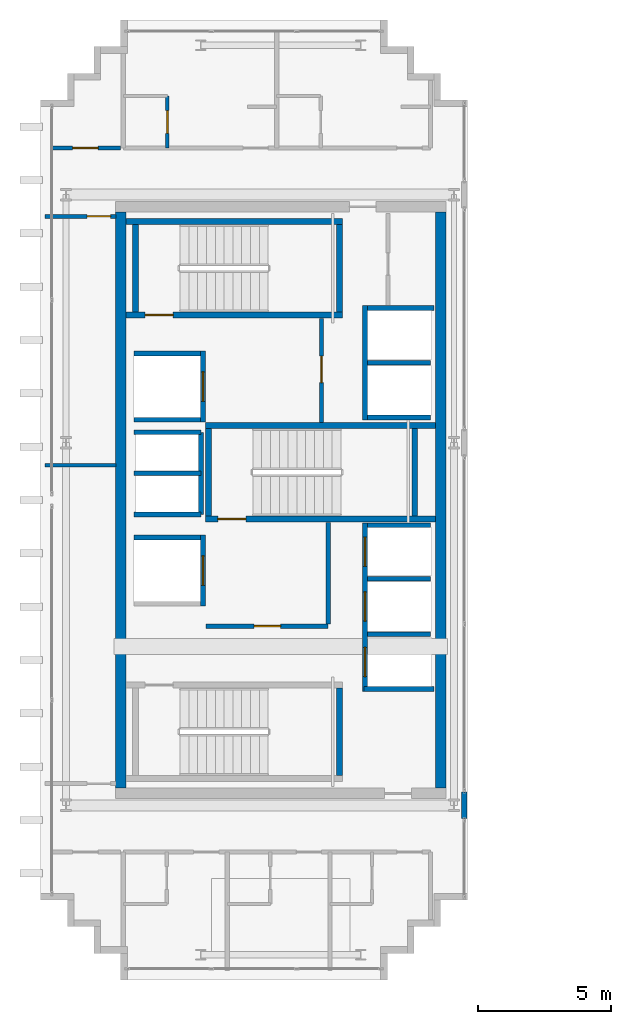
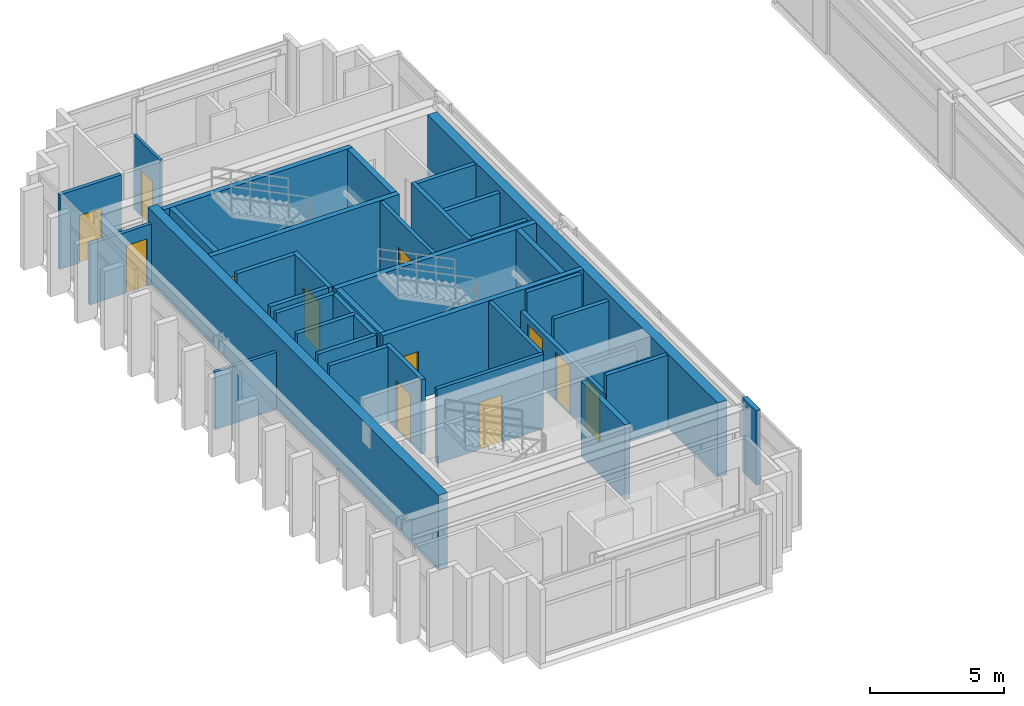
# One storey, part 20 of 25: 37 walls, 12 doors, 12 openings.
"""IFC4 building model written with IfcOpenShell, lengths in metres."""

import ifcopenshell
import ifcopenshell.guid

model = None  # the IFC model being written
_history = None  # IfcOwnerHistory: only IFC2X3 demands one
_inside = {}  # id of a spatial element -> (the spatial element, [elements in it])
_under = {}  # id of a project, library or spatial element -> (it, [spatial elements below it])
_declared = {}  # id of a project -> (the project, [libraries it declares])
_typed = {}  # id of a type object -> (the type object, [elements of that type])
_made_of = {}  # id of a material, layer set ... -> (it, [elements and type objects made of it])


def new_model(schema):
    """Start an empty IFC model of exactly this schema.

    Asked for "IFC4X3", IfcOpenShell would pick the latest addendum, in which some entities
    have other attributes; the version numbers below select the first issue.
    IFC2X3 requires an IfcOwnerHistory on every rooted entity: one is made here for all.
    """
    global model, _history
    if schema == "IFC4X3":
        model = ifcopenshell.file(schema_version=(4, 3, 0, 0))
    else:
        model = ifcopenshell.file(schema=schema)
    _inside.clear()
    _under.clear()
    _declared.clear()
    _typed.clear()
    _made_of.clear()
    _history = None
    if model.schema == "IFC2X3":
        org = make("IfcOrganization", Name="unknown")
        user = make(
            "IfcPersonAndOrganization",
            ThePerson=make("IfcPerson", FamilyName="unknown"),
            TheOrganization=org,
        )
        app = make(
            "IfcApplication",
            ApplicationDeveloper=org,
            Version="unknown",
            ApplicationFullName="unknown",
            ApplicationIdentifier="unknown",
        )
        _history = make(
            "IfcOwnerHistory",
            OwningUser=user,
            OwningApplication=app,
            ChangeAction="ADDED",
            CreationDate=0,
        )
    return model


def make(cls, **values):
    """One entity of the class cls with the attributes given. An attribute that is None is left unset."""
    return model.create_entity(
        cls, **{name: value for name, value in values.items() if value is not None}
    )


def rooted(cls, **values):
    """An entity with a GlobalId (a new one), such as an element, a storey or a relation."""
    return make(cls, GlobalId=ifcopenshell.guid.new(), OwnerHistory=_history, **values)


def si_unit(unit_type, name, prefix=None):
    """IfcSIUnit, for example si_unit("LENGTHUNIT", "METRE", prefix="MILLI")."""
    return make("IfcSIUnit", UnitType=unit_type, Prefix=prefix, Name=name)


def assignment(units):
    """IfcUnitAssignment: the units of a project."""
    return None if units is None else make("IfcUnitAssignment", Units=units)


def point(xyz):
    """IfcCartesianPoint."""
    return None if xyz is None else make("IfcCartesianPoint", Coordinates=xyz)


def direction(xyz):
    """IfcDirection."""
    return None if xyz is None else make("IfcDirection", DirectionRatios=xyz)


def frame(location, z_axis=None, x_axis=None):
    """IfcAxis2Placement3D, a coordinate frame: its origin and axes. An axis left out is left unset."""
    return make(
        "IfcAxis2Placement3D",
        Location=point(location),
        Axis=direction(z_axis),
        RefDirection=direction(x_axis),
    )


def frame_2d(location, x_axis=None):
    """IfcAxis2Placement2D, a coordinate frame in the plane: its origin and x axis."""
    return make(
        "IfcAxis2Placement2D", Location=point(location), RefDirection=direction(x_axis)
    )


def origin():
    """The frame at (0, 0, 0) with its axes left unset."""
    return frame((0.0, 0.0, 0.0))


def place(relative_to, where):
    """IfcLocalPlacement: puts the frame where relative to a parent placement (None: the world)."""
    return make(
        "IfcLocalPlacement", PlacementRelTo=relative_to, RelativePlacement=where
    )


def context(
    kind, dimensions, precision=None, world=None, true_north=None, identifier=None
):
    """IfcGeometricRepresentationContext, for example the 3D "Model" context."""
    return make(
        "IfcGeometricRepresentationContext",
        ContextIdentifier=identifier,
        ContextType=kind,
        CoordinateSpaceDimension=dimensions,
        Precision=precision,
        WorldCoordinateSystem=world,
        TrueNorth=true_north,
    )


def subcontext(parent, identifier, kind, view, scale=None):
    """IfcGeometricRepresentationSubContext, for example "Body" below "Model"."""
    return make(
        "IfcGeometricRepresentationSubContext",
        ContextIdentifier=identifier,
        ContextType=kind,
        ParentContext=parent,
        TargetScale=scale,
        TargetView=view,
    )


def project(units=None, contexts=None):
    """IfcProject with its units and contexts."""
    return rooted(
        "IfcProject",
        Name="project",
        RepresentationContexts=contexts,
        UnitsInContext=assignment(units),
    )


def spatial(cls, under=None, at=None, **own):
    """A site, building, storey or space (cls), placed at a placement, below another one or the project."""
    s = rooted(cls, ObjectPlacement=at, **own)
    if under is not None:
        _under.setdefault(under.id(), (under, []))[1].append(s)
    return s


def profile(cls, at=None, kind="AREA", **sizes):
    """A parametric profile (cls). Its sizes go by their IFC names, for example OverallWidth=200.0."""
    return make(cls, ProfileType=kind, Position=at, **sizes)


def rectangle(**sizes):
    """IfcRectangleProfileDef."""
    return profile("IfcRectangleProfileDef", **sizes)


def extrude(swept, where, along, depth):
    """IfcExtrudedAreaSolid: the profile swept, set in the frame where, extruded along a direction by depth."""
    return make(
        "IfcExtrudedAreaSolid",
        SweptArea=swept,
        Position=where,
        ExtrudedDirection=direction(along),
        Depth=depth,
    )


def shape(context_of_items, identifier, shape_type, items):
    """IfcShapeRepresentation: the items that make up one representation, for example the "Body"."""
    return make(
        "IfcShapeRepresentation",
        ContextOfItems=context_of_items,
        RepresentationIdentifier=identifier,
        RepresentationType=shape_type,
        Items=items,
    )


def source(mapping_origin, context_of_items, identifier, shape_type, items):
    """IfcRepresentationMap: a shape defined once, which mapped items show again and again."""
    return make(
        "IfcRepresentationMap",
        MappingOrigin=mapping_origin,
        MappedRepresentation=shape(context_of_items, identifier, shape_type, items),
    )


def transform(
    local_origin,
    x_axis=None,
    y_axis=None,
    z_axis=None,
    scale=None,
    scale2=None,
    scale3=None,
    uniform=True,
):
    """IfcCartesianTransformationOperator3D, or its non-uniform kind. x_axis, y_axis, z_axis: its Axis1, 2, 3."""
    if uniform:
        return make(
            "IfcCartesianTransformationOperator3D",
            Axis1=direction(x_axis),
            Axis2=direction(y_axis),
            LocalOrigin=point(local_origin),
            Scale=scale,
            Axis3=direction(z_axis),
        )
    return make(
        "IfcCartesianTransformationOperator3DnonUniform",
        Axis1=direction(x_axis),
        Axis2=direction(y_axis),
        LocalOrigin=point(local_origin),
        Scale=scale,
        Axis3=direction(z_axis),
        Scale2=scale2,
        Scale3=scale3,
    )


def mapped(mapping_source, mapping_target):
    """IfcMappedItem: shows the shape of a source again, moved by a transform."""
    return make(
        "IfcMappedItem", MappingSource=mapping_source, MappingTarget=mapping_target
    )


def material(Name=None, Category=None):
    """IfcMaterial."""
    return make("IfcMaterial", Name=Name, Category=Category)


def layer(
    of_material, thickness, ventilated=None, Name=None, Category=None, Priority=None
):
    """IfcMaterialLayer: one layer of a wall or slab, of a material (None: an air gap)."""
    return make(
        "IfcMaterialLayer",
        Material=of_material,
        LayerThickness=thickness,
        IsVentilated=ventilated,
        Name=Name,
        Category=Category,
        Priority=Priority,
    )


def layer_set(layers, Name=None):
    """IfcMaterialLayerSet."""
    return make("IfcMaterialLayerSet", MaterialLayers=layers, LayerSetName=Name)


def made_of(thing, what):
    """Note that an element or type object is made of a material, layer set ...; save() writes the relation."""
    if what is not None:
        _made_of.setdefault(what.id(), (what, []))[1].append(thing)
    return thing


def type_object(cls, material=None, **own):
    """A type object (cls), such as IfcWallType, which elements share."""
    return made_of(rooted(cls, **own), material)


def element(
    cls,
    number,
    at=None,
    inside=None,
    cuts=None,
    type_object=None,
    material=None,
    context=None,
    identifier="Body",
    shape_type=None,
    held_by="IfcProductDefinitionShape",
    body=None,
    shapes=None,
    **own,
):
    """One element of the class cls, such as IfcWall. Its Tag is "e" and its number.

    at: its placement. inside: the storey or other place that contains it. cuts: it is an
    opening in that element (IfcRelVoidsElement). A single representation is given by context,
    identifier, shape_type and body (its items); several are given by shapes. held_by: the class
    of the entity that holds the representations. save() writes the other relations.
    """
    e = rooted(cls, Tag="e%d" % number, ObjectPlacement=at, **own)
    if body is not None:
        shapes = [shape(context, identifier, shape_type, body)]
    if shapes is not None:
        e.Representation = make(held_by, Representations=shapes)
    if inside is not None:
        _inside.setdefault(inside.id(), (inside, []))[1].append(e)
    if cuts is not None:
        rooted(
            "IfcRelVoidsElement", RelatingBuildingElement=cuts, RelatedOpeningElement=e
        )
    if type_object is not None:
        _typed.setdefault(type_object.id(), (type_object, []))[1].append(e)
    return made_of(e, material)


def fill(opening, filler):
    """IfcRelFillsElement: the door or window that sits in an opening."""
    return rooted(
        "IfcRelFillsElement",
        RelatingOpeningElement=opening,
        RelatedBuildingElement=filler,
    )


def aggregate(whole, parts):
    """IfcRelAggregates: a whole, such as a stair, and the parts it consists of."""
    return rooted("IfcRelAggregates", RelatingObject=whole, RelatedObjects=parts)


def save(model, path):
    """Write the relations noted so far, then the file.

    IfcRelAggregates (storeys below a building ...), IfcRelContainedInSpatialStructure (elements
    in a storey), IfcRelDefinesByType, IfcRelAssociatesMaterial and IfcRelDeclares: one each for
    every whole, place, type object, material and project.
    """
    for whole, parts in _under.values():
        aggregate(whole, parts)
    for where, things in _inside.values():
        rooted(
            "IfcRelContainedInSpatialStructure",
            RelatedElements=things,
            RelatingStructure=where,
        )
    for kind, things in _typed.values():
        rooted("IfcRelDefinesByType", RelatedObjects=things, RelatingType=kind)
    for what, things in _made_of.values():
        rooted("IfcRelAssociatesMaterial", RelatedObjects=things, RelatingMaterial=what)
    for by, libraries in _declared.values():
        rooted("IfcRelDeclares", RelatingContext=by, RelatedDefinitions=libraries)
    model.write(path)


model = new_model("IFC4")

# Units and contexts
model_context = context("Model", 3, precision=1e-05, world=origin(), true_north=direction((0.0, 1.0)))
body_context = subcontext(model_context, "Body", "Model", "MODEL_VIEW")
ifc_project = project(units=[si_unit("LENGTHUNIT", "METRE"), si_unit("AREAUNIT", "SQUARE_METRE"), si_unit("VOLUMEUNIT", "CUBIC_METRE"), si_unit("PLANEANGLEUNIT", "RADIAN"), si_unit("MASSUNIT", "GRAM", prefix="KILO")], contexts=[model_context])

# Site, building, storey
site_placement = place(None, origin())
site = spatial("IfcSite", under=ifc_project, at=site_placement, CompositionType="ELEMENT")
building_placement = place(site_placement, origin())
building = spatial("IfcBuilding", under=site, at=building_placement, Name="Ocotamira Hotel", CompositionType="ELEMENT")
storey_placement = place(building_placement, frame((0.0, 0.0, 254.39990234375)))
storey = spatial("IfcBuildingStorey", under=building, at=storey_placement, Name="L64", CompositionType="ELEMENT", Elevation=254.39990234375)

# Walls
ifc_material_1 = material(Name="Concrete C50/60", Category="concrete")
ifc_layer_1 = layer(ifc_material_1, 0.39990234375)
ifc_layer_set_1 = layer_set([ifc_layer_1], Name="Concrete C50/60")
wall_type_1 = type_object("IfcWallType", Name="WL-CORE-400", PredefinedType="SHEAR", material=ifc_layer_set_1)
for number, where, z_axis, x_axis, name in (
    (1, (11.0, 15.199951171875, 0.0), (0.0, 0.0, 1.0), (0.0, 1.0, 0.0), "L64 Shear Core Wall WCORE-W"),
    (2, (23.0, 15.199951171875, 0.0), (0.0, 0.0, 1.0), (0.0, 1.0, 0.0), "L64 Shear Core Wall WCORE-E"),
):
    element("IfcWall", number, at=place(storey_placement, frame(where, z_axis=z_axis, x_axis=x_axis)), inside=storey, type_object=wall_type_1, Name=name, PredefinedType="SHEAR", context=body_context, shape_type="SweptSolid", body=[
        extrude(rectangle(XDim=21.60009765625, YDim=0.39990234375, at=frame_2d((10.800048828125, 0.0))), origin(), (0.0, 0.0, 1.0), 3.380126953125),
    ])

# Wall, opening, door
ifc_material_2 = material(Name="Acoustic double-layer fire gypsum board partition", Category="gypsum")
ifc_layer_2 = layer(ifc_material_2, 0.159912109375)
ifc_layer_set_2 = layer_set([ifc_layer_2], Name="Acoustic double-layer fire gypsum board partition")
wall_type_2 = type_object("IfcWallType", Name="WL-FIRE-160", PredefinedType="PARTITIONING", material=ifc_layer_set_2)
wall_1_placement = place(storey_placement, frame((14.199951171875, 21.27001953125, 0.0), z_axis=(0.0, 0.0, 1.0), x_axis=(1.0, 0.0, 0.0)))
wall_1 = element("IfcWall", 3, at=wall_1_placement, inside=storey, type_object=wall_type_2, Name="L64 Interior Wall PW-L64-FSAE1-S", PredefinedType="PARTITIONING", context=body_context, shape_type="SweptSolid", body=[
    extrude(rectangle(XDim=4.580078125, YDim=0.159912109375, at=frame_2d((2.2900390625, 0.0))), origin(), (0.0, 0.0, 1.0), 3.380126953125),
])
opening_1_placement = place(wall_1_placement, frame((1.800048828125, 0.0, 0.0)))
opening_1 = element("IfcOpeningElement", 4, at=opening_1_placement, cuts=wall_1, Name="Opening D-FR2", PredefinedType="OPENING", context=body_context, shape_type="SweptSolid", body=[
    extrude(rectangle(XDim=1.0, YDim=2.14990234375, at=frame_2d((0.5, 1.074951171875))), frame((0.0, 0.08984375, 0.0), z_axis=(0.0, -1.0, 0.0), x_axis=(1.0, 0.0, 0.0)), (0.0, 0.0, 1.0), 0.179931640625),
])
ifc_material_3 = material(Name="Fire-rated acoustic timber-veneer door", Category="wood")
door_type_1 = type_object("IfcDoorType", Name="DR-FIRE-1000", OperationType="NOTDEFINED", PredefinedType="DOOR", material=ifc_material_3)
shared_shape_1 = source(origin(), body_context, "Body", "SweptSolid", [
    extrude(rectangle(XDim=1.0, YDim=2.14990234375, at=frame_2d((0.5, 1.074951171875))), frame((0.0, 0.02490234375, 0.0), z_axis=(0.0, -1.0, 0.0), x_axis=(1.0, 0.0, 0.0)), (0.0, 0.0, 1.0), 0.050048828125),
])
door_1_placement = place(opening_1_placement, origin())
door_1 = element("IfcDoor", 5, at=door_1_placement, inside=storey, type_object=door_type_1, Name="L64 Door ID-L64-FSAE1-D [ID-L64-FSAE1-D]", OperationType="SINGLE_SWING_LEFT", OverallHeight=2.14990234375, OverallWidth=1.0, PredefinedType="DOOR", context=body_context, shape_type="MappedRepresentation", body=[
    mapped(shared_shape_1, transform((0.0, 0.0, 0.0), scale=1.0)),
])
fill(opening_1, door_1)

# Wall
wall_2_placement = place(storey_placement, frame((18.780029296875, 21.35009765625, 0.0), z_axis=(0.0, 0.0, 1.0), x_axis=(0.0, 1.0, 0.0)))
element("IfcWall", 6, at=wall_2_placement, inside=storey, type_object=wall_type_2, Name="L64 Interior Wall PW-L64-FSAE1-E", PredefinedType="PARTITIONING", context=body_context, shape_type="SweptSolid", body=[
    extrude(rectangle(XDim=3.809814453125, YDim=0.159912109375, at=frame_2d((1.90478515625, 0.0))), origin(), (0.0, 0.0, 1.0), 3.380126953125),
])

# Wall, opening, door
wall_3_placement = place(storey_placement, frame((18.530029296875, 28.89990234375, 0.0), z_axis=(0.0, 0.0, 1.0), x_axis=(0.0, 1.0, 0.0)))
wall_3 = element("IfcWall", 7, at=wall_3_placement, inside=storey, type_object=wall_type_2, Name="L64 Interior Wall PW-L64-FSAE2-E", PredefinedType="PARTITIONING", context=body_context, shape_type="SweptSolid", body=[
    extrude(rectangle(XDim=3.900146484375, YDim=0.159912109375, at=frame_2d((1.9501953125, 0.0))), origin(), (0.0, 0.0, 1.0), 3.380126953125),
])
opening_2_placement = place(wall_3_placement, frame((1.5, 0.0, 0.0)))
opening_2 = element("IfcOpeningElement", 8, at=opening_2_placement, cuts=wall_3, Name="Opening D-FR2", PredefinedType="OPENING", context=body_context, shape_type="SweptSolid", body=[
    extrude(rectangle(XDim=1.0, YDim=2.14990234375, at=frame_2d((0.5, 1.074951171875))), frame((0.0, 0.08984375, 0.0), z_axis=(0.0, -1.0, 0.0), x_axis=(1.0, 0.0, 0.0)), (0.0, 0.0, 1.0), 0.179931640625),
])
door_2_placement = place(opening_2_placement, origin())
door_2 = element("IfcDoor", 9, at=door_2_placement, inside=storey, type_object=door_type_1, Name="L64 Door ID-L64-FSAE2-D [ID-L64-FSAE2-D]", OperationType="SINGLE_SWING_RIGHT", OverallHeight=2.14990234375, OverallWidth=1.0, PredefinedType="DOOR", context=body_context, shape_type="MappedRepresentation", body=[
    mapped(shared_shape_1, transform((0.0, 0.0, 0.0), scale=1.0)),
])
fill(opening_2, door_2)

wall_4_placement = place(storey_placement, frame((8.35009765625, 39.199951171875, 0.0), z_axis=(0.0, 0.0, 1.0), x_axis=(1.0, 0.0, 0.0)))
wall_4 = element("IfcWall", 10, at=wall_4_placement, inside=storey, type_object=wall_type_2, Name="L64 Interior Wall PW-L64-SPCNW0-CW", PredefinedType="PARTITIONING", context=body_context, shape_type="SweptSolid", body=[
    extrude(rectangle(XDim=2.64990234375, YDim=0.159912109375, at=frame_2d((1.324951171875, 0.0))), origin(), (0.0, 0.0, 1.0), 3.380126953125),
])
opening_3_placement = place(wall_4_placement, frame((0.844970703125, 0.0, 0.0)))
opening_3 = element("IfcOpeningElement", 11, at=opening_3_placement, cuts=wall_4, Name="Opening D-SV4", PredefinedType="OPENING", context=body_context, shape_type="SweptSolid", body=[
    extrude(rectangle(XDim=0.9599609375, YDim=2.14990234375, at=frame_2d((0.47998046875, 1.074951171875))), frame((0.0, 0.08984375, 0.0), z_axis=(0.0, -1.0, 0.0), x_axis=(1.0, 0.0, 0.0)), (0.0, 0.0, 1.0), 0.179931640625),
])
ifc_material_4 = material(Name="Fire-rated accessible walnut salon door", Category="wood")
door_type_2 = type_object("IfcDoorType", Name="DR-SERV-960", OperationType="NOTDEFINED", PredefinedType="DOOR", material=ifc_material_4)
shared_shape_2 = source(origin(), body_context, "Body", "SweptSolid", [
    extrude(rectangle(XDim=0.9599609375, YDim=2.14990234375, at=frame_2d((0.47998046875, 1.074951171875))), frame((0.0, 0.02490234375, 0.0), z_axis=(0.0, -1.0, 0.0), x_axis=(1.0, 0.0, 0.0)), (0.0, 0.0, 1.0), 0.050048828125),
])
door_3_placement = place(opening_3_placement, origin())
door_3 = element("IfcDoor", 12, at=door_3_placement, inside=storey, type_object=door_type_2, Name="L64 Door ID-L64-SPCNW0-CD [ID-L64-SPCNW0-CD]", OperationType="SINGLE_SWING_LEFT", OverallHeight=2.14990234375, OverallWidth=0.9599609375, PredefinedType="DOOR", context=body_context, shape_type="MappedRepresentation", body=[
    mapped(shared_shape_2, transform((0.0, 0.0, 0.0), scale=1.0)),
])
fill(opening_3, door_3)

# Wall
ifc_material_5 = material(Name="Precast concrete C45/55", Category="concrete")
ifc_layer_3 = layer(ifc_material_5, 0.219970703125)
ifc_layer_set_3 = layer_set([ifc_layer_3], Name="Precast concrete C45/55")
wall_type_3 = type_object("IfcWallType", Name="WL-PARA-220", PredefinedType="PARAPET", material=ifc_layer_set_3)
wall_5_placement = place(storey_placement, frame((23.8798828125, 14.050048828125, 0.0), z_axis=(0.0, 0.0, 1.0), x_axis=(0.0, 1.0, 0.0)))
element("IfcWall", 13, at=wall_5_placement, inside=storey, type_object=wall_type_3, Name="L64 Split-Wing Column Spandrel Closure W1", PredefinedType="PARAPET", context=body_context, shape_type="SweptSolid", body=[
    extrude(rectangle(XDim=1.0, YDim=0.199951171875, at=frame_2d((0.5, 0.0))), origin(), (0.0, 0.0, 1.0), 3.380126953125),
])

# Wall, opening, door
ifc_material_6 = material(Name="Moisture-resistant en-suite tile and gypsum partition", Category="gypsum")
ifc_layer_4 = layer(ifc_material_6, 0.1201171875)
ifc_layer_set_4 = layer_set([ifc_layer_4], Name="Moisture-resistant en-suite tile and gypsum partition")
wall_type_4 = type_object("IfcWallType", Name="WL-PART-120", PredefinedType="PARTITIONING", material=ifc_layer_set_4)
wall_6_placement = place(storey_placement, frame((12.75, 39.199951171875, 0.0), z_axis=(0.0, 0.0, 1.0), x_axis=(0.0, 1.0, 0.0)))
wall_6 = element("IfcWall", 14, at=wall_6_placement, inside=storey, type_object=wall_type_4, Name="L64 Interior Wall PW-L64-SPW0N-BAE1", PredefinedType="PARTITIONING", context=body_context, shape_type="SweptSolid", body=[
    extrude(rectangle(XDim=1.949951171875, YDim=0.1201171875, at=frame_2d((0.97509765625, 0.0))), origin(), (0.0, 0.0, 1.0), 3.380126953125),
])
opening_4_placement = place(wall_6_placement, frame((0.544921875, 0.0, 0.0)))
opening_4 = element("IfcOpeningElement", 15, at=opening_4_placement, cuts=wall_6, Name="Opening D-BA1", PredefinedType="OPENING", context=body_context, shape_type="SweptSolid", body=[
    extrude(rectangle(XDim=0.860107421875, YDim=2.10009765625, at=frame_2d((0.43017578125, 1.050048828125))), frame((0.0, 0.070068359375, 0.0), z_axis=(0.0, -1.0, 0.0), x_axis=(1.0, 0.0, 0.0)), (0.0, 0.0, 1.0), 0.14013671875),
])
ifc_material_7 = material(Name="Moisture-sealed en-suite timber door", Category="wood")
door_type_3 = type_object("IfcDoorType", Name="DR-BATH-860", OperationType="NOTDEFINED", PredefinedType="DOOR", material=ifc_material_7)
shared_shape_3 = source(origin(), body_context, "Body", "SweptSolid", [
    extrude(rectangle(XDim=0.860107421875, YDim=2.10009765625, at=frame_2d((0.43017578125, 1.050048828125))), frame((0.0, 0.02490234375, 0.0), z_axis=(0.0, -1.0, 0.0), x_axis=(1.0, 0.0, 0.0)), (0.0, 0.0, 1.0), 0.050048828125),
])
door_4_placement = place(opening_4_placement, origin())
door_4 = element("IfcDoor", 16, at=door_4_placement, inside=storey, type_object=door_type_3, Name="L64 Door ID-L64-SPW0N-BAD1 [ID-L64-SPW0N-BAD1]", OperationType="SINGLE_SWING_RIGHT", OverallHeight=2.10009765625, OverallWidth=0.860107421875, PredefinedType="DOOR", context=body_context, shape_type="MappedRepresentation", body=[
    mapped(shared_shape_3, transform((0.0, 0.0, 0.0), scale=1.0)),
])
fill(opening_4, door_4)

# Wall
ifc_material_8 = material(Name="Acoustic hospitality gypsum board partition", Category="gypsum")
ifc_layer_5 = layer(ifc_material_8, 0.14208984375)
ifc_layer_set_5 = layer_set([ifc_layer_5], Name="Acoustic hospitality gypsum board partition")
wall_type_5 = type_object("IfcWallType", Name="WL-PART-142", PredefinedType="PARTITIONING", material=ifc_layer_set_5)
wall_7_placement = place(storey_placement, frame((8.159912109375, 27.300048828125, 0.0), z_axis=(0.0, 0.0, 1.0), x_axis=(1.0, 0.0, 0.0)))
element("IfcWall", 17, at=wall_7_placement, inside=storey, type_object=wall_type_5, Name="L64 Interior Wall PW-L64-SP0W-DV1", PredefinedType="PARTITIONING", context=body_context, shape_type="SweptSolid", body=[
    extrude(rectangle(XDim=2.66015625, YDim=0.14208984375, at=frame_2d((1.330078125, 0.0))), origin(), (0.0, 0.0, 1.0), 2.60107421875),
])

# Wall, opening, door
ifc_layer_6 = layer(ifc_material_8, 0.14990234375)
ifc_layer_set_6 = layer_set([ifc_layer_6], Name="Acoustic hospitality gypsum board partition")
wall_type_6 = type_object("IfcWallType", Name="WL-PART-150", PredefinedType="PARTITIONING", material=ifc_layer_set_6)
wall_8_placement = place(storey_placement, frame((8.159912109375, 36.639892578125, 0.0), z_axis=(0.0, 0.0, 1.0), x_axis=(1.0, 0.0, 0.0)))
wall_8 = element("IfcWall", 18, at=wall_8_placement, inside=storey, type_object=wall_type_6, Name="L64 Interior Wall PW-L64-SP0W-WN", PredefinedType="PARTITIONING", context=body_context, shape_type="SweptSolid", body=[
    extrude(rectangle(XDim=2.66015625, YDim=0.14990234375, at=frame_2d((1.330078125, 0.0))), origin(), (0.0, 0.0, 1.0), 2.76318359375),
])
opening_5_placement = place(wall_8_placement, frame((1.580078125, 0.0, 0.0)))
opening_5 = element("IfcOpeningElement", 19, at=opening_5_placement, cuts=wall_8, Name="Opening D-SV2", PredefinedType="OPENING", context=body_context, shape_type="SweptSolid", body=[
    extrude(rectangle(XDim=0.8798828125, YDim=2.14990234375, at=frame_2d((0.43994140625, 1.074951171875))), frame((0.0, 0.0849609375, 0.0), z_axis=(0.0, -1.0, 0.0), x_axis=(1.0, 0.0, 0.0)), (0.0, 0.0, 1.0), 0.169921875),
])
ifc_material_9 = material(Name="Fire-rated painted steel service door", Category="steel")
door_type_4 = type_object("IfcDoorType", Name="DR-SERV-880", OperationType="NOTDEFINED", PredefinedType="DOOR", material=ifc_material_9)
shared_shape_4 = source(origin(), body_context, "Body", "SweptSolid", [
    extrude(rectangle(XDim=0.8798828125, YDim=2.14990234375, at=frame_2d((0.43994140625, 1.074951171875))), frame((0.0, 0.02490234375, 0.0), z_axis=(0.0, -1.0, 0.0), x_axis=(1.0, 0.0, 0.0)), (0.0, 0.0, 1.0), 0.050048828125),
])
door_5_placement = place(opening_5_placement, origin())
door_5 = element("IfcDoor", 20, at=door_5_placement, inside=storey, type_object=door_type_4, Name="L64 Door ID-L64-SP0W-DN [ID-L64-SP0W-DN]", OperationType="SINGLE_SWING_RIGHT", OverallHeight=2.14990234375, OverallWidth=0.8798828125, PredefinedType="DOOR", context=body_context, shape_type="MappedRepresentation", body=[
    mapped(shared_shape_4, transform((0.0, 0.0, 0.0), scale=1.0)),
])
fill(opening_5, door_5)

# Wall, openings, doors
ifc_material_10 = material(Name="Fire-rated gypsum shaftliner board assembly", Category="gypsum")
ifc_layer_7 = layer(ifc_material_10, 0.179931640625)
ifc_layer_set_7 = layer_set([ifc_layer_7], Name="Fire-rated gypsum shaftliner board assembly")
wall_type_7 = type_object("IfcWallType", Name="WL-SHAFT-180", PredefinedType="SOLIDWALL", material=ifc_layer_set_7)
wall_9_placement = place(storey_placement, frame((20.159912109375, 18.820068359375, 0.0), z_axis=(0.0, 0.0, 1.0), x_axis=(0.0, 1.0, 0.0)))
wall_9 = element("IfcWall", 21, at=wall_9_placement, inside=storey, type_object=wall_type_7, Name="L64 Interior Wall PW-L64-LFW-BANK-high-F", PredefinedType="SOLIDWALL", context=body_context, shape_type="SweptSolid", body=[
    extrude(rectangle(XDim=6.31982421875, YDim=0.179931640625, at=frame_2d((3.159912109375, 0.0))), origin(), (0.0, 0.0, 1.0), 2.47998046875),
])
opening_6_placement = place(wall_9_placement, frame((0.554931640625, 0.0, 0.0)))
opening_6 = element("IfcOpeningElement", 22, at=opening_6_placement, cuts=wall_9, Name="Opening LD-LF-P7", PredefinedType="OPENING", context=body_context, shape_type="SweptSolid", body=[
    extrude(rectangle(XDim=1.10009765625, YDim=2.199951171875, at=frame_2d((0.550048828125, 1.10009765625))), frame((0.0, 0.10009765625, 0.0), z_axis=(0.0, -1.0, 0.0), x_axis=(1.0, 0.0, 0.0)), (0.0, 0.0, 1.0), 0.199951171875),
])
opening_7_placement = place(wall_9_placement, frame((2.635009765625, 0.0, 0.0)))
opening_7 = element("IfcOpeningElement", 23, at=opening_7_placement, cuts=wall_9, Name="Opening LD-LF-P8", PredefinedType="OPENING", context=body_context, shape_type="SweptSolid", body=[
    extrude(rectangle(XDim=1.10009765625, YDim=2.199951171875, at=frame_2d((0.550048828125, 1.10009765625))), frame((0.0, 0.10009765625, 0.0), z_axis=(0.0, -1.0, 0.0), x_axis=(1.0, 0.0, 0.0)), (0.0, 0.0, 1.0), 0.199951171875),
])
opening_8_placement = place(wall_9_placement, frame((4.68994140625, 0.0, 0.0)))
opening_8 = element("IfcOpeningElement", 24, at=opening_8_placement, cuts=wall_9, Name="Opening LD-LF-P9", PredefinedType="OPENING", context=body_context, shape_type="SweptSolid", body=[
    extrude(rectangle(XDim=1.10009765625, YDim=2.199951171875, at=frame_2d((0.550048828125, 1.10009765625))), frame((0.0, 0.10009765625, 0.0), z_axis=(0.0, -1.0, 0.0), x_axis=(1.0, 0.0, 0.0)), (0.0, 0.0, 1.0), 0.199951171875),
])
ifc_material_11 = material(Name="Brushed pale-metal stainless elevator landing door", Category="steel")
door_type_5 = type_object("IfcDoorType", Name="DR-LIFT-1100", OperationType="NOTDEFINED", PredefinedType="DOOR", material=ifc_material_11)
shared_shape_5 = source(origin(), body_context, "Body", "SweptSolid", [
    extrude(rectangle(XDim=1.10009765625, YDim=2.199951171875, at=frame_2d((0.550048828125, 1.10009765625))), frame((0.0, 0.02490234375, 0.0), z_axis=(0.0, -1.0, 0.0), x_axis=(1.0, 0.0, 0.0)), (0.0, 0.0, 1.0), 0.050048828125),
])
door_6_placement = place(opening_6_placement, origin())
door_6 = element("IfcDoor", 25, at=door_6_placement, inside=storey, type_object=door_type_5, Name="L64 Landing Door LD-LF-P7 [ID-L64-LD-LF-P7]", OperationType="DOUBLE_DOOR_SLIDING", OverallHeight=2.199951171875, OverallWidth=1.10009765625, PredefinedType="DOOR", context=body_context, shape_type="MappedRepresentation", body=[
    mapped(shared_shape_5, transform((0.0, 0.0, 0.0), scale=1.0)),
])
fill(opening_6, door_6)
door_7_placement = place(opening_7_placement, origin())
door_7 = element("IfcDoor", 26, at=door_7_placement, inside=storey, type_object=door_type_5, Name="L64 Landing Door LD-LF-P8 [ID-L64-LD-LF-P8]", OperationType="DOUBLE_DOOR_SLIDING", OverallHeight=2.199951171875, OverallWidth=1.10009765625, PredefinedType="DOOR", context=body_context, shape_type="MappedRepresentation", body=[
    mapped(shared_shape_5, transform((0.0, 0.0, 0.0), scale=1.0)),
])
fill(opening_7, door_7)
door_8_placement = place(opening_8_placement, origin())
door_8 = element("IfcDoor", 27, at=door_8_placement, inside=storey, type_object=door_type_5, Name="L64 Landing Door LD-LF-P9 [ID-L64-LD-LF-P9]", OperationType="DOUBLE_DOOR_SLIDING", OverallHeight=2.199951171875, OverallWidth=1.10009765625, PredefinedType="DOOR", context=body_context, shape_type="MappedRepresentation", body=[
    mapped(shared_shape_5, transform((0.0, 0.0, 0.0), scale=1.0)),
])
fill(opening_8, door_8)

# Walls
wall_10_placement = place(storey_placement, frame((20.1201171875, 18.909912109375, 0.0), z_axis=(0.0, 0.0, 1.0), x_axis=(1.0, 0.0, 0.0)))
element("IfcWall", 28, at=wall_10_placement, inside=storey, type_object=wall_type_7, Name="L64 Interior Wall PW-L64-LFW-BANK-high-S", PredefinedType="SOLIDWALL", context=body_context, shape_type="SweptSolid", body=[
    extrude(rectangle(XDim=2.6298828125, YDim=0.179931640625, at=frame_2d((1.31494140625, 0.0))), origin(), (0.0, 0.0, 1.0), 3.380126953125),
])
wall_11_placement = place(storey_placement, frame((20.25, 25.050048828125, 0.0), z_axis=(0.0, 0.0, 1.0), x_axis=(1.0, 0.0, 0.0)))
element("IfcWall", 29, at=wall_11_placement, inside=storey, type_object=wall_type_7, Name="L64 Interior Wall PW-L64-LFW-BANK-high-N", PredefinedType="SOLIDWALL", context=body_context, shape_type="SweptSolid", body=[
    extrude(rectangle(XDim=2.360107421875, YDim=0.179931640625, at=frame_2d((1.18017578125, 0.0))), origin(), (0.0, 0.0, 1.0), 3.380126953125),
])
wall_12_placement = place(storey_placement, frame((20.25, 20.965087890625, 0.0), z_axis=(0.0, 0.0, 1.0), x_axis=(1.0, 0.0, 0.0)))
element("IfcWall", 30, at=wall_12_placement, inside=storey, type_object=wall_type_7, Name="L64 Interior Wall PW-L64-LFW-DIV-LF-P7", PredefinedType="SOLIDWALL", context=body_context, shape_type="SweptSolid", body=[
    extrude(rectangle(XDim=2.360107421875, YDim=0.179931640625, at=frame_2d((1.18017578125, 0.0))), origin(), (0.0, 0.0, 1.0), 2.47998046875),
])
wall_13_placement = place(storey_placement, frame((20.25, 23.044921875, 0.0), z_axis=(0.0, 0.0, 1.0), x_axis=(1.0, 0.0, 0.0)))
element("IfcWall", 31, at=wall_13_placement, inside=storey, type_object=wall_type_7, Name="L64 Interior Wall PW-L64-LFW-DIV-LF-P8", PredefinedType="SOLIDWALL", context=body_context, shape_type="SweptSolid", body=[
    extrude(rectangle(XDim=2.360107421875, YDim=0.179931640625, at=frame_2d((1.18017578125, 0.0))), origin(), (0.0, 0.0, 1.0), 3.380126953125),
])
wall_14_placement = place(storey_placement, frame((20.159912109375, 29.0, 0.0), z_axis=(0.0, 0.0, 1.0), x_axis=(0.0, 1.0, 0.0)))
element("IfcWall", 32, at=wall_14_placement, inside=storey, type_object=wall_type_7, Name="L64 Interior Wall PW-L64-LFW-BANK-obs-F", PredefinedType="SOLIDWALL", context=body_context, shape_type="SweptSolid", body=[
    extrude(rectangle(XDim=4.2900390625, YDim=0.179931640625, at=frame_2d((2.14501953125, 0.0))), origin(), (0.0, 0.0, 1.0), 3.380126953125),
])
wall_15_placement = place(storey_placement, frame((20.25, 29.090087890625, 0.0), z_axis=(0.0, 0.0, 1.0), x_axis=(1.0, 0.0, 0.0)))
element("IfcWall", 33, at=wall_15_placement, inside=storey, type_object=wall_type_7, Name="L64 Interior Wall PW-L64-LFW-BANK-obs-S", PredefinedType="SOLIDWALL", context=body_context, shape_type="SweptSolid", body=[
    extrude(rectangle(XDim=2.360107421875, YDim=0.179931640625, at=frame_2d((1.18017578125, 0.0))), origin(), (0.0, 0.0, 1.0), 3.380126953125),
])
wall_16_placement = place(storey_placement, frame((20.25, 33.199951171875, 0.0), z_axis=(0.0, 0.0, 1.0), x_axis=(1.0, 0.0, 0.0)))
element("IfcWall", 34, at=wall_16_placement, inside=storey, type_object=wall_type_7, Name="L64 Interior Wall PW-L64-LFW-BANK-obs-N", PredefinedType="SOLIDWALL", context=body_context, shape_type="SweptSolid", body=[
    extrude(rectangle(XDim=2.5, YDim=0.179931640625, at=frame_2d((1.25, 0.0))), origin(), (0.0, 0.0, 1.0), 3.380126953125),
])
wall_17_placement = place(storey_placement, frame((20.25, 31.14501953125, 0.0), z_axis=(0.0, 0.0, 1.0), x_axis=(1.0, 0.0, 0.0)))
element("IfcWall", 35, at=wall_17_placement, inside=storey, type_object=wall_type_7, Name="L64 Interior Wall PW-L64-LFW-DIV-LF-OBS1", PredefinedType="SOLIDWALL", context=body_context, shape_type="SweptSolid", body=[
    extrude(rectangle(XDim=2.360107421875, YDim=0.179931640625, at=frame_2d((1.18017578125, 0.0))), origin(), (0.0, 0.0, 1.0), 3.380126953125),
])
wall_18_placement = place(storey_placement, frame((11.5, 24.590087890625, 0.0), z_axis=(0.0, 0.0, 1.0), x_axis=(1.0, 0.0, 0.0)))
element("IfcWall", 36, at=wall_18_placement, inside=storey, type_object=wall_type_7, Name="L64 Interior Wall PW-L64-LFW-LF-FSAE1-N", PredefinedType="SOLIDWALL", context=body_context, shape_type="SweptSolid", body=[
    extrude(rectangle(XDim=2.5, YDim=0.179931640625, at=frame_2d((1.25, 0.0))), origin(), (0.0, 0.0, 1.0), 3.380126953125),
])

# Wall, opening, door
wall_19_placement = place(storey_placement, frame((14.090087890625, 22.02001953125, 0.0), z_axis=(0.0, 0.0, 1.0), x_axis=(0.0, 1.0, 0.0)))
wall_19 = element("IfcWall", 37, at=wall_19_placement, inside=storey, type_object=wall_type_7, Name="L64 Interior Wall PW-L64-LFW-LF-FSAE1-E", PredefinedType="SOLIDWALL", context=body_context, shape_type="SweptSolid", body=[
    extrude(rectangle(XDim=2.659912109375, YDim=0.179931640625, at=frame_2d((1.330078125, 0.0))), origin(), (0.0, 0.0, 1.0), 3.380126953125),
])
opening_9_placement = place(wall_19_placement, frame((0.780029296875, 0.0, 0.0)))
opening_9 = element("IfcOpeningElement", 38, at=opening_9_placement, cuts=wall_19, Name="Opening LD-LF-FSAE1", PredefinedType="OPENING", context=body_context, shape_type="SweptSolid", body=[
    extrude(rectangle(XDim=1.10009765625, YDim=2.199951171875, at=frame_2d((0.550048828125, 1.10009765625))), frame((0.0, 0.10009765625, 0.0), z_axis=(0.0, -1.0, 0.0), x_axis=(1.0, 0.0, 0.0)), (0.0, 0.0, 1.0), 0.199951171875),
])
door_9_placement = place(opening_9_placement, origin())
door_9 = element("IfcDoor", 39, at=door_9_placement, inside=storey, type_object=door_type_5, Name="L64 Landing Door LD-LF-FSAE1 [ID-L64-LD-LF-FSAE1]", OperationType="DOUBLE_DOOR_SLIDING", OverallHeight=2.199951171875, OverallWidth=1.10009765625, PredefinedType="DOOR", context=body_context, shape_type="MappedRepresentation", body=[
    mapped(shared_shape_5, transform((0.0, 0.0, 0.0), scale=1.0)),
])
fill(opening_9, door_9)

# Walls
for number, where, z_axis, x_axis, name in (
    (40, (11.5, 29.010009765625, 0.0), (0.0, 0.0, 1.0), (1.0, 0.0, 0.0), "L64 Interior Wall PW-L64-LFW-LF-FSAE2-S"),
    (41, (11.5, 31.489990234375, 0.0), (0.0, 0.0, 1.0), (1.0, 0.0, 0.0), "L64 Interior Wall PW-L64-LFW-LF-FSAE2-N"),
):
    element("IfcWall", number, at=place(storey_placement, frame(where, z_axis=z_axis, x_axis=x_axis)), inside=storey, type_object=wall_type_7, Name=name, PredefinedType="SOLIDWALL", context=body_context, shape_type="SweptSolid", body=[
        extrude(rectangle(XDim=2.5, YDim=0.179931640625, at=frame_2d((1.25, 0.0))), origin(), (0.0, 0.0, 1.0), 3.380126953125),
    ])

# Wall, opening, door
wall_20_placement = place(storey_placement, frame((14.090087890625, 28.919921875, 0.0), z_axis=(0.0, 0.0, 1.0), x_axis=(0.0, 1.0, 0.0)))
wall_20 = element("IfcWall", 42, at=wall_20_placement, inside=storey, type_object=wall_type_7, Name="L64 Interior Wall PW-L64-LFW-LF-FSAE2-E", PredefinedType="SOLIDWALL", context=body_context, shape_type="SweptSolid", body=[
    extrude(rectangle(XDim=2.66015625, YDim=0.179931640625, at=frame_2d((1.330078125, 0.0))), origin(), (0.0, 0.0, 1.0), 3.380126953125),
])
opening_10_placement = place(wall_20_placement, frame((0.780029296875, 0.0, 0.0)))
opening_10 = element("IfcOpeningElement", 43, at=opening_10_placement, cuts=wall_20, Name="Opening LD-LF-FSAE2", PredefinedType="OPENING", context=body_context, shape_type="SweptSolid", body=[
    extrude(rectangle(XDim=1.10009765625, YDim=2.199951171875, at=frame_2d((0.550048828125, 1.10009765625))), frame((0.0, 0.10009765625, 0.0), z_axis=(0.0, -1.0, 0.0), x_axis=(1.0, 0.0, 0.0)), (0.0, 0.0, 1.0), 0.199951171875),
])
door_10_placement = place(opening_10_placement, origin())
door_10 = element("IfcDoor", 44, at=door_10_placement, inside=storey, type_object=door_type_5, Name="L64 Landing Door LD-LF-FSAE2 [ID-L64-LD-LF-FSAE2]", OperationType="DOUBLE_DOOR_SLIDING", OverallHeight=2.199951171875, OverallWidth=1.10009765625, PredefinedType="DOOR", context=body_context, shape_type="MappedRepresentation", body=[
    mapped(shared_shape_5, transform((0.0, 0.0, 0.0), scale=1.0)),
])
fill(opening_10, door_10)

# Walls
for number, where, z_axis, x_axis, name in (
    (45, (11.5, 25.4599609375, 0.0), (0.0, 0.0, 1.0), (1.0, 0.0, 0.0), "L64 Interior Wall PW-L64-RSW-S"),
    (46, (11.5, 27.0, 0.0), (0.0, 0.0, 1.0), (1.0, 0.0, 0.0), "L64 Interior Wall PW-L64-RSW-MID"),
    (47, (11.5, 28.5400390625, 0.0), (0.0, 0.0, 1.0), (1.0, 0.0, 0.0), "L64 Interior Wall PW-L64-RSW-N"),
):
    element("IfcWall", number, at=place(storey_placement, frame(where, z_axis=z_axis, x_axis=x_axis)), inside=storey, type_object=wall_type_7, Name=name, PredefinedType="SOLIDWALL", context=body_context, shape_type="SweptSolid", body=[
        extrude(rectangle(XDim=2.510009765625, YDim=0.179931640625, at=frame_2d((1.2548828125, 0.0))), origin(), (0.0, 0.0, 1.0), 3.380126953125),
    ])
wall_21_placement = place(storey_placement, frame((14.010009765625, 25.4599609375, 0.0), z_axis=(0.0, 0.0, 1.0), x_axis=(0.0, 1.0, 0.0)))
element("IfcWall", 48, at=wall_21_placement, inside=storey, type_object=wall_type_7, Name="L64 Interior Wall PW-L64-RSW-E", PredefinedType="SOLIDWALL", context=body_context, shape_type="SweptSolid", body=[
    extrude(rectangle(XDim=3.080078125, YDim=0.179931640625, at=frame_2d((1.5400390625, 0.0))), origin(), (0.0, 0.0, 1.0), 3.380126953125),
])
ifc_layer_8 = layer(ifc_material_1, 0.219970703125)
ifc_layer_set_8 = layer_set([ifc_layer_8], Name="Concrete C50/60")
wall_type_8 = type_object("IfcWallType", Name="WL-STAIR-220", PredefinedType="SHEAR", material=ifc_layer_set_8)
wall_22_placement = place(storey_placement, frame((19.199951171875, 15.669921875, 0.0), z_axis=(0.0, 0.0, 1.0), x_axis=(0.0, 1.0, 0.0)))
element("IfcWall", 49, at=wall_22_placement, inside=storey, type_object=wall_type_8, Name="L64 Stair Shaft Structural Wall ST-1-E", PredefinedType="SHEAR", context=body_context, shape_type="SweptSolid", body=[
    extrude(rectangle(XDim=3.280029296875, YDim=0.219970703125, at=frame_2d((1.64013671875, 0.0))), origin(), (0.0, 0.0, 1.0), 3.400146484375),
])

# Wall, opening, door
wall_23_placement = place(storey_placement, frame((11.199951171875, 32.93994140625, 0.0), z_axis=(0.0, 0.0, 1.0), x_axis=(1.0, 0.0, 0.0)))
wall_23 = element("IfcWall", 50, at=wall_23_placement, inside=storey, type_object=wall_type_8, Name="L64 Stair Shaft Structural Wall ST-2-S", PredefinedType="SHEAR", context=body_context, shape_type="SweptSolid", body=[
    extrude(rectangle(XDim=8.110107421875, YDim=0.219970703125, at=frame_2d((4.05517578125, 0.0))), origin(), (0.0, 0.0, 1.0), 3.400146484375),
])
opening_11_placement = place(wall_23_placement, frame((0.719970703125, 0.0, 0.0)))
opening_11 = element("IfcOpeningElement", 51, at=opening_11_placement, cuts=wall_23, Name="Opening D-ST2", PredefinedType="OPENING", context=body_context, shape_type="SweptSolid", body=[
    extrude(rectangle(XDim=1.050048828125, YDim=2.14990234375, at=frame_2d((0.52490234375, 1.074951171875))), frame((0.0, 0.1201171875, 0.0), z_axis=(0.0, -1.0, 0.0), x_axis=(1.0, 0.0, 0.0)), (0.0, 0.0, 1.0), 0.239990234375),
])
ifc_material_12 = material(Name="Insulated painted hollow-metal fire exit door", Category="steel")
door_type_6 = type_object("IfcDoorType", Name="DR-STAIR-1050", OperationType="NOTDEFINED", PredefinedType="DOOR", material=ifc_material_12)
shared_shape_6 = source(origin(), body_context, "Body", "SweptSolid", [
    extrude(rectangle(XDim=1.050048828125, YDim=2.14990234375, at=frame_2d((0.52490234375, 1.074951171875))), frame((0.0, 0.02490234375, 0.0), z_axis=(0.0, -1.0, 0.0), x_axis=(1.0, 0.0, 0.0)), (0.0, 0.0, 1.0), 0.050048828125),
])
door_11_placement = place(opening_11_placement, origin())
door_11 = element("IfcDoor", 52, at=door_11_placement, inside=storey, type_object=door_type_6, Name="L64 Door ID-L64-STD-ST-2 [ID-L64-STD-ST-2]", OperationType="SINGLE_SWING_RIGHT", OverallHeight=2.14990234375, OverallWidth=1.050048828125, PredefinedType="DOOR", context=body_context, shape_type="MappedRepresentation", body=[
    mapped(shared_shape_6, transform((0.0, 0.0, 0.0), scale=1.0)),
])
fill(opening_11, door_11)

# Walls
wall_24_placement = place(storey_placement, frame((11.199951171875, 36.43994140625, 0.0), z_axis=(0.0, 0.0, 1.0), x_axis=(1.0, 0.0, 0.0)))
element("IfcWall", 53, at=wall_24_placement, inside=storey, type_object=wall_type_8, Name="L64 Stair Shaft Structural Wall ST-2-N", PredefinedType="SHEAR", context=body_context, shape_type="SweptSolid", body=[
    extrude(rectangle(XDim=8.110107421875, YDim=0.219970703125, at=frame_2d((4.05517578125, 0.0))), origin(), (0.0, 0.0, 1.0), 3.400146484375),
])
for number, where, z_axis, x_axis, name in (
    (54, (11.56005859375, 33.050048828125, 0.0), (0.0, 0.0, 1.0), (0.0, 1.0, 0.0), "L64 Stair Shaft Structural Wall ST-2-W"),
    (55, (19.199951171875, 33.050048828125, 0.0), (0.0, 0.0, 1.0), (0.0, 1.0, 0.0), "L64 Stair Shaft Structural Wall ST-2-E"),
):
    element("IfcWall", number, at=place(storey_placement, frame(where, z_axis=z_axis, x_axis=x_axis)), inside=storey, type_object=wall_type_8, Name=name, PredefinedType="SHEAR", context=body_context, shape_type="SweptSolid", body=[
        extrude(rectangle(XDim=3.280029296875, YDim=0.219970703125, at=frame_2d((1.64013671875, 0.0))), origin(), (0.0, 0.0, 1.0), 3.400146484375),
    ])

# Wall, opening, door
wall_25_placement = place(storey_placement, frame((14.179931640625, 25.2900390625, 0.0), z_axis=(0.0, 0.0, 1.0), x_axis=(1.0, 0.0, 0.0)))
wall_25 = element("IfcWall", 56, at=wall_25_placement, inside=storey, type_object=wall_type_8, Name="L64 Stair Shaft Structural Wall ST-3-S", PredefinedType="SHEAR", context=body_context, shape_type="SweptSolid", body=[
    extrude(rectangle(XDim=8.6201171875, YDim=0.219970703125, at=frame_2d((4.31005859375, 0.0))), origin(), (0.0, 0.0, 1.0), 3.400146484375),
])
opening_12_placement = place(wall_25_placement, frame((0.469970703125, 0.0, 0.0)))
opening_12 = element("IfcOpeningElement", 57, at=opening_12_placement, cuts=wall_25, Name="Opening D-ST2", PredefinedType="OPENING", context=body_context, shape_type="SweptSolid", body=[
    extrude(rectangle(XDim=1.050048828125, YDim=2.14990234375, at=frame_2d((0.52490234375, 1.074951171875))), frame((0.0, 0.1201171875, 0.0), z_axis=(0.0, -1.0, 0.0), x_axis=(1.0, 0.0, 0.0)), (0.0, 0.0, 1.0), 0.239990234375),
])
door_12_placement = place(opening_12_placement, origin())
door_12 = element("IfcDoor", 58, at=door_12_placement, inside=storey, type_object=door_type_6, Name="L64 Door ID-L64-STD-ST-3 [ID-L64-STD-ST-3]", OperationType="SINGLE_SWING_LEFT", OverallHeight=2.14990234375, OverallWidth=1.050048828125, PredefinedType="DOOR", context=body_context, shape_type="MappedRepresentation", body=[
    mapped(shared_shape_6, transform((0.0, 0.0, 0.0), scale=1.0)),
])
fill(opening_12, door_12)

# Walls
wall_26_placement = place(storey_placement, frame((14.179931640625, 28.7900390625, 0.0), z_axis=(0.0, 0.0, 1.0), x_axis=(1.0, 0.0, 0.0)))
element("IfcWall", 59, at=wall_26_placement, inside=storey, type_object=wall_type_8, Name="L64 Stair Shaft Structural Wall ST-3-N", PredefinedType="SHEAR", context=body_context, shape_type="SweptSolid", body=[
    extrude(rectangle(XDim=8.6201171875, YDim=0.219970703125, at=frame_2d((4.31005859375, 0.0))), origin(), (0.0, 0.0, 1.0), 3.400146484375),
])
for number, where, z_axis, x_axis, name in (
    (60, (14.2900390625, 25.39990234375, 0.0), (0.0, 0.0, 1.0), (0.0, 1.0, 0.0), "L64 Stair Shaft Structural Wall ST-3-W"),
    (61, (22.030029296875, 25.39990234375, 0.0), (0.0, 0.0, 1.0), (0.0, 1.0, 0.0), "L64 Stair Shaft Structural Wall ST-3-E"),
):
    element("IfcWall", number, at=place(storey_placement, frame(where, z_axis=z_axis, x_axis=x_axis)), inside=storey, type_object=wall_type_8, Name=name, PredefinedType="SHEAR", context=body_context, shape_type="SweptSolid", body=[
        extrude(rectangle(XDim=3.280029296875, YDim=0.219970703125, at=frame_2d((1.64013671875, 0.0))), origin(), (0.0, 0.0, 1.0), 3.400146484375),
    ])

save(model, "model.ifc")
